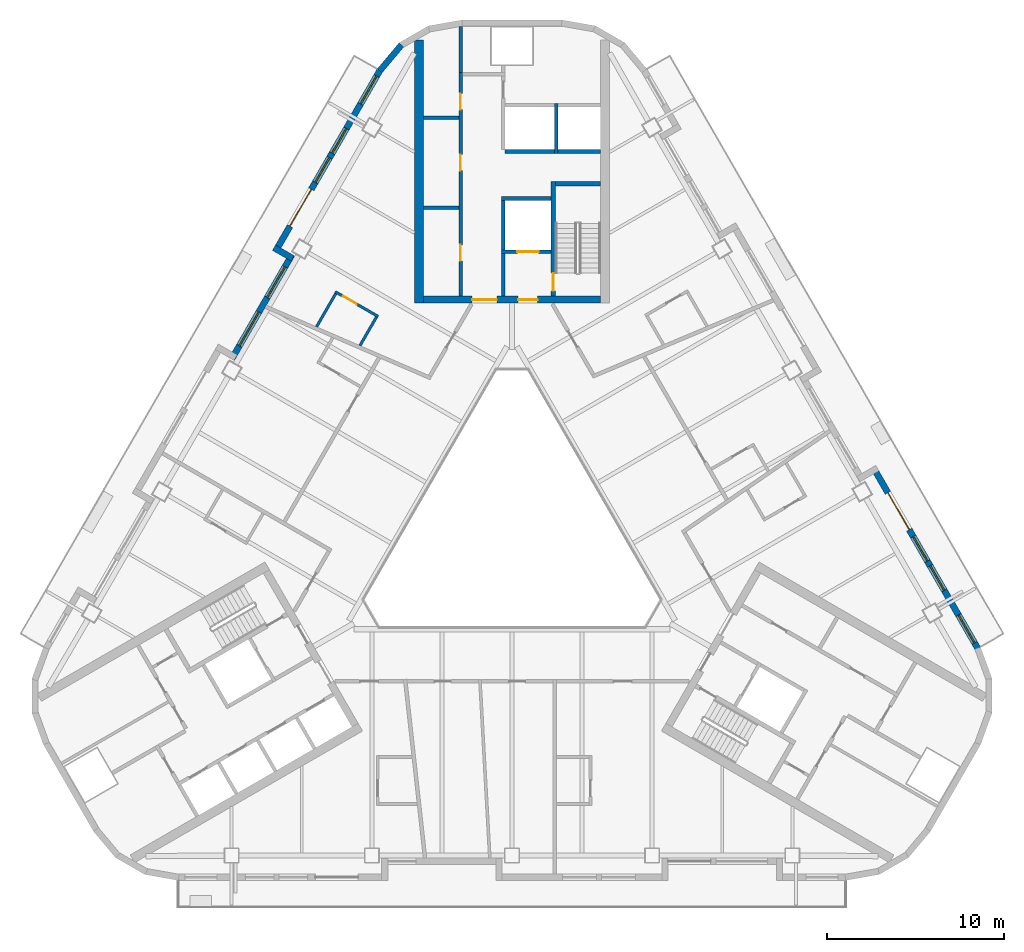
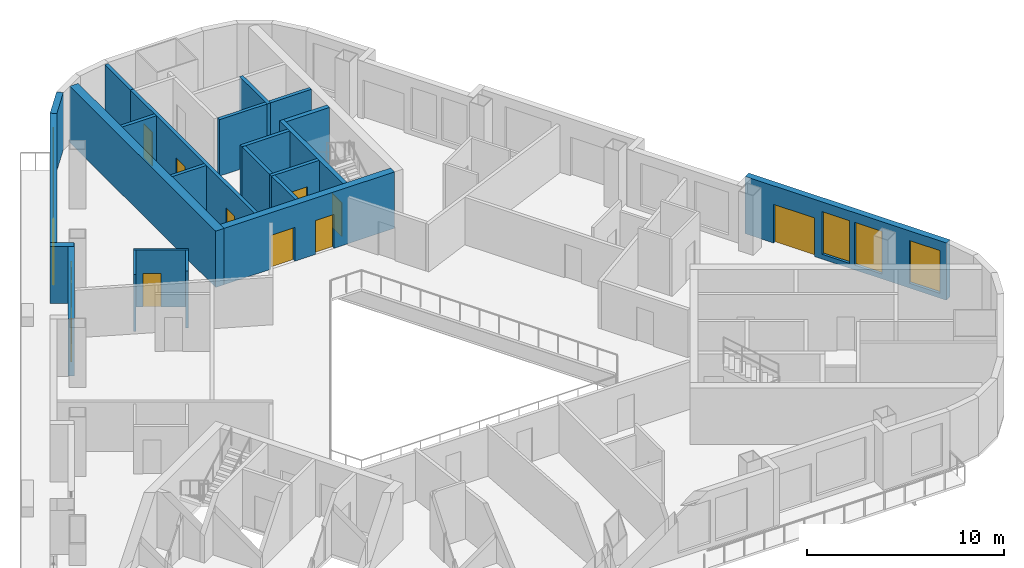
# One storey, part 6 of 13: 23 walls, 10 doors, 8 windows, 18 openings.
"""IFC4 building model written with IfcOpenShell, lengths in metres."""

from ifc_helpers import new_model, si_unit, direction, frame, frame_2d, origin, place, context, subcontext, project, spatial, rectangle, extrude, material, layer, layer_set, type_object, element, fill, save


model = new_model("IFC4")

# Units and contexts
model_context = context("Model", 3, precision=1e-05, world=origin(), true_north=direction((0.0, 1.0)))
body_context = subcontext(model_context, "Body", "Model", "MODEL_VIEW")
ifc_project = project(units=[si_unit("LENGTHUNIT", "METRE"), si_unit("AREAUNIT", "SQUARE_METRE"), si_unit("VOLUMEUNIT", "CUBIC_METRE"), si_unit("PLANEANGLEUNIT", "RADIAN"), si_unit("MASSUNIT", "GRAM", prefix="KILO")], contexts=[model_context])

# Site, building, storey
site_placement = place(None, origin())
site = spatial("IfcSite", under=ifc_project, at=site_placement, CompositionType="ELEMENT")
building_placement = place(site_placement, origin())
building = spatial("IfcBuilding", under=site, at=building_placement, Name="Apuvela Tower Hotel", CompositionType="ELEMENT")
storey_placement = place(building_placement, frame((0.0, 0.0, 165.10009765625)))
storey = spatial("IfcBuildingStorey", under=building, at=storey_placement, Name="L39", CompositionType="ELEMENT", Elevation=165.10009765625)

# Wall, openings, doors
ifc_material_1 = material(Name="Concrete C50/60", Category="concrete")
ifc_layer_1 = layer(ifc_material_1, 0.39990234375)
ifc_layer_set_1 = layer_set([ifc_layer_1], Name="COR-WALL-CORE-400")
wall_type_1 = type_object("IfcWallType", Name="COR-WALL-CORE-400", PredefinedType="SHEAR", material=ifc_layer_set_1)
wall_1_placement = place(storey_placement, frame((5.0, 13.10009765625, 0.0), z_axis=(0.0, 0.0, 1.0), x_axis=(-1.0, 0.0, 0.0)))
wall_1 = element("IfcWall", 1, at=wall_1_placement, inside=storey, type_object=wall_type_1, Name="Core wall N", PredefinedType="SHEAR", context=body_context, shape_type="SweptSolid", body=[
    extrude(rectangle(XDim=10.0, YDim=0.39990234375, at=frame_2d((5.0, 0.0))), origin(), (0.0, 0.0, 1.0), 3.5),
])
opening_1_placement = place(wall_1_placement, frame((3.550048828125, 0.0, 0.0)))
opening_1 = element("IfcOpeningElement", 2, at=opening_1_placement, cuts=wall_1, Name="Opening N-FD", PredefinedType="OPENING", context=body_context, shape_type="SweptSolid", body=[
    extrude(rectangle(XDim=1.10009765625, YDim=2.10009765625, at=frame_2d((0.550048828125, 1.050048828125))), frame((0.0, 0.2099609375, 0.0), z_axis=(0.0, -1.0, 0.0), x_axis=(1.0, 0.0, 0.0)), (0.0, 0.0, 1.0), 0.419921875),
])
opening_2_placement = place(wall_1_placement, frame((5.85009765625, 0.0, 0.0)))
opening_2 = element("IfcOpeningElement", 3, at=opening_2_placement, cuts=wall_1, Name="Opening N-GD", PredefinedType="OPENING", context=body_context, shape_type="SweptSolid", body=[
    extrude(rectangle(XDim=1.39990234375, YDim=2.10009765625, at=frame_2d((0.699951171875, 1.050048828125))), frame((0.0, 0.2099609375, 0.0), z_axis=(0.0, -1.0, 0.0), x_axis=(1.0, 0.0, 0.0)), (0.0, 0.0, 1.0), 0.419921875),
])
ifc_material_2 = material(Name="Steel fire door, powder coated", Category="steel")
door_type_1 = type_object("IfcDoorType", Name="COR-FD-1100", OperationType="NOTDEFINED", PredefinedType="DOOR", material=ifc_material_2)
door_1_placement = place(opening_1_placement, frame((1.10009765625, 0.0, 0.0), z_axis=(0.0, 0.0, 1.0), x_axis=(-1.0, 0.0, 0.0)))
door_1 = element("IfcDoor", 4, at=door_1_placement, inside=storey, type_object=door_type_1, Name="Firefighting lobby door N-FD", OperationType="SINGLE_SWING_LEFT", OverallHeight=2.10009765625, OverallWidth=1.10009765625, PredefinedType="DOOR", context=body_context, shape_type="SweptSolid", body=[
    extrude(rectangle(XDim=1.10009765625, YDim=2.10009765625, at=frame_2d((0.550048828125, 1.050048828125))), frame((0.0, 0.02490234375, 0.0), z_axis=(0.0, -1.0, 0.0), x_axis=(1.0, 0.0, 0.0)), (0.0, 0.0, 1.0), 0.050048828125),
])
fill(opening_1, door_1)
ifc_material_3 = material(Name="Glazed steel fire door", Category="steel")
door_type_2 = type_object("IfcDoorType", Name="COR-GD-1400", OperationType="DOUBLE_DOOR_SINGLE_SWING", PredefinedType="DOOR", material=ifc_material_3)
door_2_placement = place(opening_2_placement, frame((1.39990234375, 0.0, 0.0), z_axis=(0.0, 0.0, 1.0), x_axis=(-1.0, 0.0, 0.0)))
door_2 = element("IfcDoor", 5, at=door_2_placement, inside=storey, type_object=door_type_2, Name="Lift lobby door N-GD", OperationType="DOUBLE_DOOR_SINGLE_SWING", OverallHeight=2.10009765625, OverallWidth=1.39990234375, PredefinedType="DOOR", context=body_context, shape_type="SweptSolid", body=[
    extrude(rectangle(XDim=1.39990234375, YDim=2.10009765625, at=frame_2d((0.699951171875, 1.050048828125))), frame((0.0, 0.02490234375, 0.0), z_axis=(0.0, -1.0, 0.0), x_axis=(1.0, 0.0, 0.0)), (0.0, 0.0, 1.0), 0.050048828125),
])
fill(opening_2, door_2)

# Walls
ifc_layer_2 = layer(ifc_material_1, 0.5)
ifc_layer_set_2 = layer_set([ifc_layer_2], Name="COR-WALL-CORE-500")
wall_type_2 = type_object("IfcWallType", Name="COR-WALL-CORE-500", PredefinedType="SHEAR", material=ifc_layer_set_2)
wall_2_placement = place(storey_placement, frame((-5.25, 12.89990234375, 0.0), z_axis=(0.0, 0.0, 1.0), x_axis=(0.0, 1.0, 0.0)))
element("IfcWall", 6, at=wall_2_placement, inside=storey, type_object=wall_type_2, Name="Core wall N", PredefinedType="SHEAR", context=body_context, shape_type="SweptSolid", body=[
    extrude(rectangle(XDim=14.8369140625, YDim=0.5, at=frame_2d((7.41845703125, 0.0))), origin(), (0.0, 0.0, 1.0), 3.5),
])
ifc_material_4 = material(Name="Blockwork 200 mm plastered", Category="masonry")
ifc_layer_3 = layer(ifc_material_4, 0.199951171875)
ifc_layer_set_3 = layer_set([ifc_layer_3], Name="COR-WALL-PART-200")
wall_type_3 = type_object("IfcWallType", Name="COR-WALL-PART-200", PredefinedType="PARTITIONING", material=ifc_layer_set_3)
wall_3_placement = place(storey_placement, frame((5.0, 21.449951171875, 0.0), z_axis=(0.0, 0.0, 1.0), x_axis=(-1.0, 0.0, 0.0)))
element("IfcWall", 7, at=wall_3_placement, inside=storey, type_object=wall_type_3, Name="Partition N", PredefinedType="PARTITIONING", context=body_context, shape_type="SweptSolid", body=[
    extrude(rectangle(XDim=2.39990234375, YDim=0.199951171875, at=frame_2d((1.199951171875, 0.0))), origin(), (0.0, 0.0, 1.0), 3.5),
])
wall_4_placement = place(storey_placement, frame((2.39990234375, 21.449951171875, 0.0), z_axis=(0.0, 0.0, 1.0), x_axis=(-1.0, 0.0, 0.0)))
element("IfcWall", 8, at=wall_4_placement, inside=storey, type_object=wall_type_3, Name="Partition N", PredefinedType="PARTITIONING", context=body_context, shape_type="SweptSolid", body=[
    extrude(rectangle(XDim=2.7998046875, YDim=0.199951171875, at=frame_2d((1.39990234375, 0.0))), origin(), (0.0, 0.0, 1.0), 3.5),
])
ifc_layer_4 = layer(ifc_material_1, 0.199951171875)
ifc_layer_set_4 = layer_set([ifc_layer_4], Name="COR-WALL-SHAFT-200")
wall_type_4 = type_object("IfcWallType", Name="COR-WALL-SHAFT-200", PredefinedType="SHEAR", material=ifc_layer_set_4)
wall_5_placement = place(storey_placement, frame((2.199951171875, 18.800048828125, 0.0), z_axis=(0.0, 0.0, 1.0), x_axis=(-1.0, 0.0, 0.0)))
element("IfcWall", 9, at=wall_5_placement, inside=storey, type_object=wall_type_4, Name="Shaft wall N", PredefinedType="SHEAR", context=body_context, shape_type="SweptSolid", body=[
    extrude(rectangle(XDim=2.800048828125, YDim=0.199951171875, at=frame_2d((1.39990234375, 0.0))), origin(), (0.0, 0.0, 1.0), 3.5),
])

# Wall, opening, door
wall_6_placement = place(storey_placement, frame((2.199951171875, 15.800048828125, 0.0), z_axis=(0.0, 0.0, 1.0), x_axis=(-1.0, 0.0, 0.0)))
wall_6 = element("IfcWall", 10, at=wall_6_placement, inside=storey, type_object=wall_type_4, Name="Shaft wall N", PredefinedType="SHEAR", context=body_context, shape_type="SweptSolid", body=[
    extrude(rectangle(XDim=2.800048828125, YDim=0.199951171875, at=frame_2d((1.39990234375, 0.0))), origin(), (0.0, 0.0, 1.0), 3.5),
])
opening_3_placement = place(wall_6_placement, frame((0.699951171875, 0.0, 0.0)))
opening_3 = element("IfcOpeningElement", 11, at=opening_3_placement, cuts=wall_6, Name="Opening N-LD-FS1", PredefinedType="OPENING", context=body_context, shape_type="SweptSolid", body=[
    extrude(rectangle(XDim=1.199951171875, YDim=2.10009765625, at=frame_2d((0.60009765625, 1.050048828125))), frame((0.0, 0.10986328125, 0.0), z_axis=(0.0, -1.0, 0.0), x_axis=(1.0, 0.0, 0.0)), (0.0, 0.0, 1.0), 0.219970703125),
])
ifc_material_5 = material(Name="Stainless steel lift landing door", Category="steel")
door_type_3 = type_object("IfcDoorType", Name="COR-LD-1200", OperationType="DOUBLE_DOOR_SLIDING", PredefinedType="DOOR", material=ifc_material_5)
door_3_placement = place(opening_3_placement, origin())
door_3 = element("IfcDoor", 12, at=door_3_placement, inside=storey, type_object=door_type_3, Name="Lift landing door N-LD-FS1", OperationType="DOUBLE_DOOR_SLIDING", OverallHeight=2.10009765625, OverallWidth=1.199951171875, PredefinedType="DOOR", context=body_context, shape_type="SweptSolid", body=[
    extrude(rectangle(XDim=1.199951171875, YDim=2.10009765625, at=frame_2d((0.60009765625, 1.050048828125))), frame((0.0, 0.02490234375, 0.0), z_axis=(0.0, -1.0, 0.0), x_axis=(1.0, 0.0, 0.0)), (0.0, 0.0, 1.0), 0.050048828125),
])
fill(opening_3, door_3)

# Walls
wall_7_placement = place(storey_placement, frame((-0.5, 15.89990234375, 0.0), z_axis=(0.0, 0.0, 1.0), x_axis=(0.0, 1.0, 0.0)))
element("IfcWall", 13, at=wall_7_placement, inside=storey, type_object=wall_type_4, Name="Shaft wall N", PredefinedType="SHEAR", context=body_context, shape_type="SweptSolid", body=[
    extrude(rectangle(XDim=2.800048828125, YDim=0.199951171875, at=frame_2d((1.39990234375, 0.0))), origin(), (0.0, 0.0, 1.0), 3.5),
])
wall_8_placement = place(storey_placement, frame((-0.5, 13.300048828125, 0.0), z_axis=(0.0, 0.0, 1.0), x_axis=(0.0, 1.0, 0.0)))
element("IfcWall", 14, at=wall_8_placement, inside=storey, type_object=wall_type_4, Name="Shaft wall N", PredefinedType="SHEAR", context=body_context, shape_type="SweptSolid", body=[
    extrude(rectangle(XDim=2.39990234375, YDim=0.199951171875, at=frame_2d((1.199951171875, 0.0))), origin(), (0.0, 0.0, 1.0), 3.5),
])

# Wall, openings, doors
wall_9_placement = place(storey_placement, frame((-2.89990234375, 13.300048828125, 0.0), z_axis=(0.0, 0.0, 1.0), x_axis=(0.0, 1.0, 0.0)))
wall_9 = element("IfcWall", 15, at=wall_9_placement, inside=storey, type_object=wall_type_4, Name="Shaft wall N", PredefinedType="SHEAR", context=body_context, shape_type="SweptSolid", body=[
    extrude(rectangle(XDim=12.599853515625, YDim=0.199951171875, at=frame_2d((6.2998046875, 0.0))), origin(), (0.0, 0.0, 1.0), 3.5),
])
opening_4_placement = place(wall_9_placement, frame((1.989990234375, 0.0, 0.0)))
opening_4 = element("IfcOpeningElement", 16, at=opening_4_placement, cuts=wall_9, Name="Opening N-RE1", PredefinedType="OPENING", context=body_context, shape_type="SweptSolid", body=[
    extrude(rectangle(XDim=0.89990234375, YDim=2.10009765625, at=frame_2d((0.449951171875, 1.050048828125))), frame((0.0, 0.10986328125, 0.0), z_axis=(0.0, -1.0, 0.0), x_axis=(1.0, 0.0, 0.0)), (0.0, 0.0, 1.0), 0.219970703125),
])
opening_5_placement = place(wall_9_placement, frame((7.070068359375, 0.0, 0.0)))
opening_5 = element("IfcOpeningElement", 17, at=opening_5_placement, cuts=wall_9, Name="Opening N-RE3", PredefinedType="OPENING", context=body_context, shape_type="SweptSolid", body=[
    extrude(rectangle(XDim=0.89990234375, YDim=2.10009765625, at=frame_2d((0.449951171875, 1.050048828125))), frame((0.0, 0.10986328125, 0.0), z_axis=(0.0, -1.0, 0.0), x_axis=(1.0, 0.0, 0.0)), (0.0, 0.0, 1.0), 0.219970703125),
])
opening_6_placement = place(wall_9_placement, frame((10.510009765625, 0.0, 0.0)))
opening_6 = element("IfcOpeningElement", 18, at=opening_6_placement, cuts=wall_9, Name="Opening N-REP", PredefinedType="OPENING", context=body_context, shape_type="SweptSolid", body=[
    extrude(rectangle(XDim=0.89990234375, YDim=2.10009765625, at=frame_2d((0.449951171875, 1.050048828125))), frame((0.0, 0.10986328125, 0.0), z_axis=(0.0, -1.0, 0.0), x_axis=(1.0, 0.0, 0.0)), (0.0, 0.0, 1.0), 0.219970703125),
])
door_type_4 = type_object("IfcDoorType", Name="COR-DR-900", OperationType="NOTDEFINED", PredefinedType="DOOR", material=ifc_material_2)
door_4_placement = place(opening_4_placement, origin())
door_4 = element("IfcDoor", 19, at=door_4_placement, inside=storey, type_object=door_type_4, Name="Store door N-RE1", OperationType="SINGLE_SWING_LEFT", OverallHeight=2.10009765625, OverallWidth=0.89990234375, PredefinedType="DOOR", context=body_context, shape_type="SweptSolid", body=[
    extrude(rectangle(XDim=0.89990234375, YDim=2.10009765625, at=frame_2d((0.449951171875, 1.050048828125))), frame((0.0, 0.02490234375, 0.0), z_axis=(0.0, -1.0, 0.0), x_axis=(1.0, 0.0, 0.0)), (0.0, 0.0, 1.0), 0.050048828125),
])
fill(opening_4, door_4)
door_5_placement = place(opening_5_placement, origin())
door_5 = element("IfcDoor", 20, at=door_5_placement, inside=storey, type_object=door_type_4, Name="Store door N-RE3", OperationType="SINGLE_SWING_LEFT", OverallHeight=2.10009765625, OverallWidth=0.89990234375, PredefinedType="DOOR", context=body_context, shape_type="SweptSolid", body=[
    extrude(rectangle(XDim=0.89990234375, YDim=2.10009765625, at=frame_2d((0.449951171875, 1.050048828125))), frame((0.0, 0.02490234375, 0.0), z_axis=(0.0, -1.0, 0.0), x_axis=(1.0, 0.0, 0.0)), (0.0, 0.0, 1.0), 0.050048828125),
])
fill(opening_5, door_5)
door_6_placement = place(opening_6_placement, origin())
door_6 = element("IfcDoor", 21, at=door_6_placement, inside=storey, type_object=door_type_4, Name="Store door N-REP", OperationType="SINGLE_SWING_RIGHT", OverallHeight=2.10009765625, OverallWidth=0.89990234375, PredefinedType="DOOR", context=body_context, shape_type="SweptSolid", body=[
    extrude(rectangle(XDim=0.89990234375, YDim=2.10009765625, at=frame_2d((0.449951171875, 1.050048828125))), frame((0.0, 0.02490234375, 0.0), z_axis=(0.0, -1.0, 0.0), x_axis=(1.0, 0.0, 0.0)), (0.0, 0.0, 1.0), 0.050048828125),
])
fill(opening_6, door_6)

# Walls
for number, where, z_axis, x_axis, name in (
    (22, (-3.0, 18.280029296875, 0.0), (0.0, 0.0, 1.0), (-1.0, 0.0, 0.0), "Shaft wall N"),
    (23, (-3.0, 23.360107421875, 0.0), (0.0, 0.0, 1.0), (-1.0, 0.0, 0.0), "Shaft wall N"),
):
    element("IfcWall", number, at=place(storey_placement, frame(where, z_axis=z_axis, x_axis=x_axis)), inside=storey, type_object=wall_type_4, Name=name, PredefinedType="SHEAR", context=body_context, shape_type="SweptSolid", body=[
        extrude(rectangle(XDim=2.0, YDim=0.199951171875, at=frame_2d((1.0, 0.0))), origin(), (0.0, 0.0, 1.0), 3.5),
    ])
wall_10_placement = place(storey_placement, frame((-2.89990234375, 25.89990234375, 0.0), z_axis=(0.0, 0.0, 1.0), x_axis=(0.0, 1.0, 0.0)))
element("IfcWall", 24, at=wall_10_placement, inside=storey, type_object=wall_type_4, Name="Shaft wall N", PredefinedType="SHEAR", context=body_context, shape_type="SweptSolid", body=[
    extrude(rectangle(XDim=2.60009765625, YDim=0.199951171875, at=frame_2d((1.300048828125, 0.0))), origin(), (0.0, 0.0, 1.0), 3.5),
])
wall_11_placement = place(storey_placement, frame((2.5, 21.35009765625, 0.0), z_axis=(0.0, 0.0, 1.0), x_axis=(0.0, 1.0, 0.0)))
element("IfcWall", 25, at=wall_11_placement, inside=storey, type_object=wall_type_4, Name="Shaft wall N", PredefinedType="SHEAR", context=body_context, shape_type="SweptSolid", body=[
    extrude(rectangle(XDim=2.7998046875, YDim=0.199951171875, at=frame_2d((1.39990234375, 0.0))), origin(), (0.0, 0.0, 1.0), 3.5),
])

# Wall, opening, door
ifc_layer_5 = layer(ifc_material_1, 0.25)
ifc_layer_set_5 = layer_set([ifc_layer_5], Name="COR-WALL-STAIR-250")
wall_type_5 = type_object("IfcWallType", Name="COR-WALL-STAIR-250", PredefinedType="SHEAR", material=ifc_layer_set_5)
wall_12_placement = place(storey_placement, frame((2.324951171875, 13.300048828125, 0.0), z_axis=(0.0, 0.0, 1.0), x_axis=(0.0, 1.0, 0.0)))
wall_12 = element("IfcWall", 26, at=wall_12_placement, inside=storey, type_object=wall_type_5, Name="Stair wall N", PredefinedType="SHEAR", context=body_context, shape_type="SweptSolid", body=[
    extrude(rectangle(XDim=6.449951171875, YDim=0.25, at=frame_2d((3.22509765625, 0.0))), origin(), (0.0, 0.0, 1.0), 3.5),
])
opening_7_placement = place(wall_12_placement, frame((0.300048828125, 0.0, 0.0)))
opening_7 = element("IfcOpeningElement", 27, at=opening_7_placement, cuts=wall_12, Name="Opening N-SD", PredefinedType="OPENING", context=body_context, shape_type="SweptSolid", body=[
    extrude(rectangle(XDim=1.0, YDim=2.10009765625, at=frame_2d((0.5, 1.050048828125))), frame((0.0, 0.135009765625, 0.0), z_axis=(0.0, -1.0, 0.0), x_axis=(1.0, 0.0, 0.0)), (0.0, 0.0, 1.0), 0.27001953125),
])
door_type_5 = type_object("IfcDoorType", Name="COR-SD-1000", OperationType="NOTDEFINED", PredefinedType="DOOR", material=ifc_material_2)
door_7_placement = place(opening_7_placement, frame((1.0, 0.0, 0.0), z_axis=(0.0, 0.0, 1.0), x_axis=(-1.0, 0.0, 0.0)))
door_7 = element("IfcDoor", 28, at=door_7_placement, inside=storey, type_object=door_type_5, Name="Stair door N-SD", OperationType="SINGLE_SWING_LEFT", OverallHeight=2.10009765625, OverallWidth=1.0, PredefinedType="DOOR", context=body_context, shape_type="SweptSolid", body=[
    extrude(rectangle(XDim=1.0, YDim=2.10009765625, at=frame_2d((0.5, 1.050048828125))), frame((0.0, 0.02490234375, 0.0), z_axis=(0.0, -1.0, 0.0), x_axis=(1.0, 0.0, 0.0)), (0.0, 0.0, 1.0), 0.050048828125),
])
fill(opening_7, door_7)

# Wall
wall_13_placement = place(storey_placement, frame((5.0, 19.625, 0.0), z_axis=(0.0, 0.0, 1.0), x_axis=(-1.0, 0.0, 0.0)))
element("IfcWall", 29, at=wall_13_placement, inside=storey, type_object=wall_type_5, Name="Stair wall N", PredefinedType="SHEAR", context=body_context, shape_type="SweptSolid", body=[
    extrude(rectangle(XDim=2.550048828125, YDim=0.25, at=frame_2d((1.27490234375, 0.0))), origin(), (0.0, 0.0, 1.0), 3.5),
])

# Wall, openings, door, windows
ifc_material_6 = material(Name="Concrete C40/50, dark pigmented precast panel", Category="concrete")
ifc_layer_6 = layer(ifc_material_6, 0.35009765625)
ifc_layer_set_6 = layer_set([ifc_layer_6], Name="ENV-WALL-350")
wall_type_6 = type_object("IfcWallType", Name="ENV-WALL-350", PredefinedType="SOLIDWALL", material=ifc_layer_set_6)
wall_14_placement = place(storey_placement, frame((-7.440673828125, 26.0224609375, 0.0), z_axis=(0.0, 0.0, 1.0), x_axis=(-0.499992533062, -0.86602971478, 0.0)))
wall_14 = element("IfcWall", 30, at=wall_14_placement, inside=storey, type_object=wall_type_6, Name="External wall L39-01", PredefinedType="SOLIDWALL", context=body_context, shape_type="SweptSolid", body=[
    extrude(rectangle(XDim=11.815673828125, YDim=0.35009765625, at=frame_2d((5.90771484375, 0.0))), origin(), (0.0, 0.0, 1.0), 3.5498046875),
])
opening_8_placement = place(wall_14_placement, frame((0.381103515625, 0.0, 0.300048828125)))
opening_8 = element("IfcOpeningElement", 31, at=opening_8_placement, cuts=wall_14, Name="Opening WN18", PredefinedType="OPENING", context=body_context, shape_type="SweptSolid", body=[
    extrude(rectangle(XDim=1.800048828125, YDim=2.64990234375, at=frame_2d((0.89990234375, 1.324951171875))), frame((0.0, 0.18505859375, 0.0), z_axis=(0.0, -1.0, 0.0), x_axis=(1.0, 0.0, 0.0)), (0.0, 0.0, 1.0), 0.3701171875),
])
opening_9_placement = place(wall_14_placement, frame((7.740478515625, 0.0, 0.0)))
opening_9 = element("IfcOpeningElement", 32, at=opening_9_placement, cuts=wall_14, Name="Opening BD24", PredefinedType="OPENING", context=body_context, shape_type="SweptSolid", body=[
    extrude(rectangle(XDim=2.39990234375, YDim=2.39990234375, at=frame_2d((1.199951171875, 1.199951171875))), frame((0.0, 0.18505859375, 0.0), z_axis=(0.0, -1.0, 0.0), x_axis=(1.0, 0.0, 0.0)), (0.0, 0.0, 1.0), 0.3701171875),
])
opening_10_placement = place(wall_14_placement, frame((3.791015625, 0.0, 0.300048828125)))
opening_10 = element("IfcOpeningElement", 33, at=opening_10_placement, cuts=wall_14, Name="Opening WN16", PredefinedType="OPENING", context=body_context, shape_type="SweptSolid", body=[
    extrude(rectangle(XDim=1.60009765625, YDim=2.64990234375, at=frame_2d((0.800048828125, 1.324951171875))), frame((0.0, 0.18505859375, 0.0), z_axis=(0.0, -1.0, 0.0), x_axis=(1.0, 0.0, 0.0)), (0.0, 0.0, 1.0), 0.3701171875),
])
opening_11_placement = place(wall_14_placement, frame((5.69091796875, 0.0, 0.300048828125)))
opening_11 = element("IfcOpeningElement", 34, at=opening_11_placement, cuts=wall_14, Name="Opening WN16", PredefinedType="OPENING", context=body_context, shape_type="SweptSolid", body=[
    extrude(rectangle(XDim=1.60009765625, YDim=2.64990234375, at=frame_2d((0.800048828125, 1.324951171875))), frame((0.0, 0.18505859375, 0.0), z_axis=(0.0, -1.0, 0.0), x_axis=(1.0, 0.0, 0.0)), (0.0, 0.0, 1.0), 0.3701171875),
])
ifc_material_7 = material(Name="Aluminium 6063-T6, dark bronze anodised frame with dark tinted laminated glass", Category="aluminium")
door_type_6 = type_object("IfcDoorType", Name="ENV-DOOR-BALCONY-2400x2400", OperationType="SLIDING_TO_LEFT", PredefinedType="DOOR", material=ifc_material_7)
door_8_placement = place(opening_9_placement, frame((2.39990234375, 0.0, 0.0), z_axis=(0.0, 0.0, 1.0), x_axis=(-1.0, 0.0, 0.0)))
door_8 = element("IfcDoor", 35, at=door_8_placement, inside=storey, type_object=door_type_6, Name="Balcony door BD24", OperationType="SLIDING_TO_LEFT", OverallHeight=2.39990234375, OverallWidth=2.39990234375, PredefinedType="DOOR", context=body_context, shape_type="SweptSolid", body=[
    extrude(rectangle(XDim=2.39990234375, YDim=2.39990234375, at=frame_2d((1.199951171875, 1.199951171875))), frame((0.0, 0.02490234375, 0.0), z_axis=(0.0, -1.0, 0.0), x_axis=(1.0, 0.0, 0.0)), (0.0, 0.0, 1.0), 0.050048828125),
])
fill(opening_9, door_8)
ifc_material_8 = material(Name="Glass, dark tinted laminated insulated glazing unit", Category="glass")
window_type_1 = type_object("IfcWindowType", Name="ENV-WIN-1600x2650", PartitioningType="SINGLE_PANEL", PredefinedType="WINDOW", material=ifc_material_8)
window_1_placement = place(opening_10_placement, origin())
window_1 = element("IfcWindow", 36, at=window_1_placement, inside=storey, type_object=window_type_1, Name="Window WN16", OverallHeight=2.64990234375, OverallWidth=1.60009765625, PartitioningType="SINGLE_PANEL", PredefinedType="WINDOW", context=body_context, shape_type="SweptSolid", body=[
    extrude(rectangle(XDim=1.60009765625, YDim=2.64990234375, at=frame_2d((0.800048828125, 1.324951171875))), frame((0.0, 0.030029296875, 0.0), z_axis=(0.0, -1.0, 0.0), x_axis=(1.0, 0.0, 0.0)), (0.0, 0.0, 1.0), 0.06005859375),
])
fill(opening_10, window_1)
window_2_placement = place(opening_11_placement, origin())
window_2 = element("IfcWindow", 37, at=window_2_placement, inside=storey, type_object=window_type_1, Name="Window WN16", OverallHeight=2.64990234375, OverallWidth=1.60009765625, PartitioningType="SINGLE_PANEL", PredefinedType="WINDOW", context=body_context, shape_type="SweptSolid", body=[
    extrude(rectangle(XDim=1.60009765625, YDim=2.64990234375, at=frame_2d((0.800048828125, 1.324951171875))), frame((0.0, 0.030029296875, 0.0), z_axis=(0.0, -1.0, 0.0), x_axis=(1.0, 0.0, 0.0)), (0.0, 0.0, 1.0), 0.06005859375),
])
fill(opening_11, window_2)
window_type_2 = type_object("IfcWindowType", Name="ENV-WIN-1800x2650", PartitioningType="SINGLE_PANEL", PredefinedType="WINDOW", material=ifc_material_8)
window_3_placement = place(opening_8_placement, origin())
window_3 = element("IfcWindow", 38, at=window_3_placement, inside=storey, type_object=window_type_2, Name="Window WN18", OverallHeight=2.64990234375, OverallWidth=1.800048828125, PartitioningType="SINGLE_PANEL", PredefinedType="WINDOW", context=body_context, shape_type="SweptSolid", body=[
    extrude(rectangle(XDim=1.800048828125, YDim=2.64990234375, at=frame_2d((0.89990234375, 1.324951171875))), frame((0.0, 0.030029296875, 0.0), z_axis=(0.0, -1.0, 0.0), x_axis=(1.0, 0.0, 0.0)), (0.0, 0.0, 1.0), 0.06005859375),
])
fill(opening_8, window_3)

# Wall
wall_15_placement = place(storey_placement, frame((-13.41259765625, 16.02880859375, 0.0), z_axis=(0.0, 0.0, 1.0), x_axis=(0.866005645448, -0.500034220881, 0.0)))
element("IfcWall", 39, at=wall_15_placement, inside=storey, type_object=wall_type_6, Name="External wall L39-02", PredefinedType="SOLIDWALL", context=body_context, shape_type="SweptSolid", body=[
    extrude(rectangle(XDim=1.22021484375, YDim=0.35009765625, at=frame_2d((0.610107421875, 0.0))), origin(), (0.0, 0.0, 1.0), 3.5498046875),
])

# Wall, openings, windows
wall_16_placement = place(storey_placement, frame((-12.408935546875, 15.616943359375, 0.0), z_axis=(0.0, 0.0, 1.0), x_axis=(-0.500003597184, -0.866023326939, 0.0)))
wall_16 = element("IfcWall", 40, at=wall_16_placement, inside=storey, type_object=wall_type_6, Name="External wall L39-03", PredefinedType="SOLIDWALL", context=body_context, shape_type="SweptSolid", body=[
    extrude(rectangle(XDim=6.740234375, YDim=0.35009765625, at=frame_2d((3.3701171875, 0.0))), origin(), (0.0, 0.0, 1.0), 3.5498046875),
])
opening_12_placement = place(wall_16_placement, frame((0.77001953125, 0.0, 0.300048828125)))
opening_12 = element("IfcOpeningElement", 41, at=opening_12_placement, cuts=wall_16, Name="Opening WN20", PredefinedType="OPENING", context=body_context, shape_type="SweptSolid", body=[
    extrude(rectangle(XDim=2.0, YDim=2.64990234375, at=frame_2d((1.0, 1.324951171875))), frame((0.0, 0.18505859375, 0.0), z_axis=(0.0, -1.0, 0.0), x_axis=(1.0, 0.0, 0.0)), (0.0, 0.0, 1.0), 0.3701171875),
])
opening_13_placement = place(wall_16_placement, frame((3.71484375, 0.0, 0.300048828125)))
opening_13 = element("IfcOpeningElement", 42, at=opening_13_placement, cuts=wall_16, Name="Opening WN22", PredefinedType="OPENING", context=body_context, shape_type="SweptSolid", body=[
    extrude(rectangle(XDim=2.199951171875, YDim=2.64990234375, at=frame_2d((1.10009765625, 1.324951171875))), frame((0.0, 0.18505859375, 0.0), z_axis=(0.0, -1.0, 0.0), x_axis=(1.0, 0.0, 0.0)), (0.0, 0.0, 1.0), 0.3701171875),
])
window_type_3 = type_object("IfcWindowType", Name="ENV-WIN-2000x2650", PartitioningType="SINGLE_PANEL", PredefinedType="WINDOW", material=ifc_material_8)
window_4_placement = place(opening_12_placement, origin())
window_4 = element("IfcWindow", 43, at=window_4_placement, inside=storey, type_object=window_type_3, Name="Window WN20", OverallHeight=2.64990234375, OverallWidth=2.0, PartitioningType="SINGLE_PANEL", PredefinedType="WINDOW", context=body_context, shape_type="SweptSolid", body=[
    extrude(rectangle(XDim=2.0, YDim=2.64990234375, at=frame_2d((1.0, 1.324951171875))), frame((0.0, 0.030029296875, 0.0), z_axis=(0.0, -1.0, 0.0), x_axis=(1.0, 0.0, 0.0)), (0.0, 0.0, 1.0), 0.06005859375),
])
fill(opening_12, window_4)
window_type_4 = type_object("IfcWindowType", Name="ENV-WIN-2200x2650", PartitioningType="SINGLE_PANEL", PredefinedType="WINDOW", material=ifc_material_8)
window_5_placement = place(opening_13_placement, origin())
window_5 = element("IfcWindow", 44, at=window_5_placement, inside=storey, type_object=window_type_4, Name="Window WN22", OverallHeight=2.64990234375, OverallWidth=2.199951171875, PartitioningType="SINGLE_PANEL", PredefinedType="WINDOW", context=body_context, shape_type="SweptSolid", body=[
    extrude(rectangle(XDim=2.199951171875, YDim=2.64990234375, at=frame_2d((1.10009765625, 1.324951171875))), frame((0.0, 0.030029296875, 0.0), z_axis=(0.0, -1.0, 0.0), x_axis=(1.0, 0.0, 0.0)), (0.0, 0.0, 1.0), 0.06005859375),
])
fill(opening_13, window_5)

# Wall, openings, door, windows
wall_17_placement = place(storey_placement, frame((26.256591796875, -6.5673828125, 0.0), z_axis=(0.0, 0.0, 1.0), x_axis=(-0.500023526245, 0.866011820475, 0.0)))
wall_17 = element("IfcWall", 45, at=wall_17_placement, inside=storey, type_object=wall_type_6, Name="External wall L39-33", PredefinedType="SOLIDWALL", context=body_context, shape_type="SweptSolid", body=[
    extrude(rectangle(XDim=11.81591796875, YDim=0.35009765625, at=frame_2d((5.907958984375, 0.0))), origin(), (0.0, 0.0, 1.0), 3.5498046875),
])
opening_14_placement = place(wall_17_placement, frame((0.380126953125, 0.0, 0.300048828125)))
opening_14 = element("IfcOpeningElement", 46, at=opening_14_placement, cuts=wall_17, Name="Opening WN18", PredefinedType="OPENING", context=body_context, shape_type="SweptSolid", body=[
    extrude(rectangle(XDim=1.800048828125, YDim=2.64990234375, at=frame_2d((0.89990234375, 1.324951171875))), frame((0.0, 0.18505859375, 0.0), z_axis=(0.0, -1.0, 0.0), x_axis=(1.0, 0.0, 0.0)), (0.0, 0.0, 1.0), 0.3701171875),
])
opening_15_placement = place(wall_17_placement, frame((7.7412109375, 0.0, 0.0)))
opening_15 = element("IfcOpeningElement", 47, at=opening_15_placement, cuts=wall_17, Name="Opening BD24", PredefinedType="OPENING", context=body_context, shape_type="SweptSolid", body=[
    extrude(rectangle(XDim=2.39990234375, YDim=2.39990234375, at=frame_2d((1.199951171875, 1.199951171875))), frame((0.0, 0.18505859375, 0.0), z_axis=(0.0, -1.0, 0.0), x_axis=(1.0, 0.0, 0.0)), (0.0, 0.0, 1.0), 0.3701171875),
])
opening_16_placement = place(wall_17_placement, frame((3.791015625, 0.0, 0.300048828125)))
opening_16 = element("IfcOpeningElement", 48, at=opening_16_placement, cuts=wall_17, Name="Opening WN16", PredefinedType="OPENING", context=body_context, shape_type="SweptSolid", body=[
    extrude(rectangle(XDim=1.60009765625, YDim=2.64990234375, at=frame_2d((0.800048828125, 1.324951171875))), frame((0.0, 0.18505859375, 0.0), z_axis=(0.0, -1.0, 0.0), x_axis=(1.0, 0.0, 0.0)), (0.0, 0.0, 1.0), 0.3701171875),
])
opening_17_placement = place(wall_17_placement, frame((5.69091796875, 0.0, 0.300048828125)))
opening_17 = element("IfcOpeningElement", 49, at=opening_17_placement, cuts=wall_17, Name="Opening WN16", PredefinedType="OPENING", context=body_context, shape_type="SweptSolid", body=[
    extrude(rectangle(XDim=1.60009765625, YDim=2.64990234375, at=frame_2d((0.800048828125, 1.324951171875))), frame((0.0, 0.18505859375, 0.0), z_axis=(0.0, -1.0, 0.0), x_axis=(1.0, 0.0, 0.0)), (0.0, 0.0, 1.0), 0.3701171875),
])
door_9_placement = place(opening_15_placement, frame((2.39990234375, 0.0, 0.0), z_axis=(0.0, 0.0, 1.0), x_axis=(-1.0, 0.0, 0.0)))
door_9 = element("IfcDoor", 50, at=door_9_placement, inside=storey, type_object=door_type_6, Name="Balcony door BD24", OperationType="SLIDING_TO_LEFT", OverallHeight=2.39990234375, OverallWidth=2.39990234375, PredefinedType="DOOR", context=body_context, shape_type="SweptSolid", body=[
    extrude(rectangle(XDim=2.39990234375, YDim=2.39990234375, at=frame_2d((1.199951171875, 1.199951171875))), frame((0.0, 0.02490234375, 0.0), z_axis=(0.0, -1.0, 0.0), x_axis=(1.0, 0.0, 0.0)), (0.0, 0.0, 1.0), 0.050048828125),
])
fill(opening_15, door_9)
window_6_placement = place(opening_16_placement, origin())
window_6 = element("IfcWindow", 51, at=window_6_placement, inside=storey, type_object=window_type_1, Name="Window WN16", OverallHeight=2.64990234375, OverallWidth=1.60009765625, PartitioningType="SINGLE_PANEL", PredefinedType="WINDOW", context=body_context, shape_type="SweptSolid", body=[
    extrude(rectangle(XDim=1.60009765625, YDim=2.64990234375, at=frame_2d((0.800048828125, 1.324951171875))), frame((0.0, 0.030029296875, 0.0), z_axis=(0.0, -1.0, 0.0), x_axis=(1.0, 0.0, 0.0)), (0.0, 0.0, 1.0), 0.06005859375),
])
fill(opening_16, window_6)
window_7_placement = place(opening_17_placement, origin())
window_7 = element("IfcWindow", 52, at=window_7_placement, inside=storey, type_object=window_type_1, Name="Window WN16", OverallHeight=2.64990234375, OverallWidth=1.60009765625, PartitioningType="SINGLE_PANEL", PredefinedType="WINDOW", context=body_context, shape_type="SweptSolid", body=[
    extrude(rectangle(XDim=1.60009765625, YDim=2.64990234375, at=frame_2d((0.800048828125, 1.324951171875))), frame((0.0, 0.030029296875, 0.0), z_axis=(0.0, -1.0, 0.0), x_axis=(1.0, 0.0, 0.0)), (0.0, 0.0, 1.0), 0.06005859375),
])
fill(opening_17, window_7)
window_8_placement = place(opening_14_placement, origin())
window_8 = element("IfcWindow", 53, at=window_8_placement, inside=storey, type_object=window_type_2, Name="Window WN18", OverallHeight=2.64990234375, OverallWidth=1.800048828125, PartitioningType="SINGLE_PANEL", PredefinedType="WINDOW", context=body_context, shape_type="SweptSolid", body=[
    extrude(rectangle(XDim=1.800048828125, YDim=2.64990234375, at=frame_2d((0.89990234375, 1.324951171875))), frame((0.0, 0.030029296875, 0.0), z_axis=(0.0, -1.0, 0.0), x_axis=(1.0, 0.0, 0.0)), (0.0, 0.0, 1.0), 0.06005859375),
])
fill(opening_14, window_8)

# Wall
wall_18_placement = place(storey_placement, frame((-6.230224609375, 27.460693359375, 0.0), z_axis=(0.0, 0.0, 1.0), x_axis=(-0.642808304945, -0.766027077259, 0.0)))
element("IfcWall", 54, at=wall_18_placement, inside=storey, type_object=wall_type_6, Name="External wall L39-48", PredefinedType="SOLIDWALL", context=body_context, shape_type="SweptSolid", body=[
    extrude(rectangle(XDim=1.909912109375, YDim=0.35009765625, at=frame_2d((0.955078125, 0.0))), origin(), (0.0, 0.0, 1.0), 3.5498046875),
])

# Wall, opening, door
ifc_material_9 = material(Name="Moisture-resistant gypsum board wet wall on steel stud", Category="steel")
ifc_layer_7 = layer(ifc_material_9, 0.14990234375)
ifc_layer_set_7 = layer_set([ifc_layer_7], Name="GST-PW3")
wall_type_7 = type_object("IfcWallType", Name="GST-PW3", PredefinedType="PARTITIONING", material=ifc_layer_set_7)
wall_19_placement = place(storey_placement, frame((-7.536865234375, 12.14599609375, 0.0), z_axis=(0.0, 0.0, 1.0), x_axis=(-0.866034573852, 0.49998411664, 0.0)))
wall_19 = element("IfcWall", 55, at=wall_19_placement, inside=storey, type_object=wall_type_7, Name="L39 partition 30", PredefinedType="PARTITIONING", context=body_context, shape_type="SweptSolid", body=[
    extrude(rectangle(XDim=2.7998046875, YDim=0.14990234375, at=frame_2d((1.39990234375, 0.0))), origin(), (0.0, 0.0, 1.0), 3.5498046875),
])
opening_18_placement = place(wall_19_placement, frame((1.39990234375, 0.0, 0.0)))
opening_18 = element("IfcOpeningElement", 56, at=opening_18_placement, cuts=wall_19, Name="Opening GD14-13", PredefinedType="OPENING", context=body_context, shape_type="SweptSolid", body=[
    extrude(rectangle(XDim=0.89990234375, YDim=2.10009765625, at=frame_2d((0.449951171875, 1.050048828125))), frame((0.0, 0.0849609375, 0.0), z_axis=(0.0, -1.0, 0.0), x_axis=(1.0, 0.0, 0.0)), (0.0, 0.0, 1.0), 0.169921875),
])
ifc_material_10 = material(Name="Timber door leaf in steel frame", Category="steel")
door_type_7 = type_object("IfcDoorType", Name="GST-D2", OperationType="NOTDEFINED", PredefinedType="DOOR", material=ifc_material_10)
door_10_placement = place(opening_18_placement, origin())
door_10 = element("IfcDoor", 57, at=door_10_placement, inside=storey, type_object=door_type_7, Name="Door L39-13", OperationType="SINGLE_SWING_RIGHT", OverallHeight=2.10009765625, OverallWidth=0.89990234375, PredefinedType="DOOR", context=body_context, shape_type="SweptSolid", body=[
    extrude(rectangle(XDim=0.89990234375, YDim=2.10009765625, at=frame_2d((0.449951171875, 1.050048828125))), frame((0.0, 0.02490234375, 0.0), z_axis=(0.0, -1.0, 0.0), x_axis=(1.0, 0.0, 0.0)), (0.0, 0.0, 1.0), 0.050048828125),
])
fill(opening_18, door_10)

# Walls
wall_20_placement = place(storey_placement, frame((-9.93408203125, 13.443359375, 0.0), z_axis=(0.0, 0.0, 1.0), x_axis=(-0.500018419339, -0.866014769113, 0.0)))
element("IfcWall", 58, at=wall_20_placement, inside=storey, type_object=wall_type_7, Name="L39 partition 31", PredefinedType="PARTITIONING", context=body_context, shape_type="SweptSolid", body=[
    extrude(rectangle(XDim=2.166015625, YDim=0.14990234375, at=frame_2d((1.0830078125, 0.0))), origin(), (0.0, 0.0, 1.0), 3.5498046875),
])
wall_21_placement = place(storey_placement, frame((-7.63916015625, 12.118408203125, 0.0), z_axis=(0.0, 0.0, 1.0), x_axis=(-0.500052179009, -0.865995276124, 0.0)))
element("IfcWall", 59, at=wall_21_placement, inside=storey, type_object=wall_type_7, Name="L39 partition 32", PredefinedType="PARTITIONING", context=body_context, shape_type="SweptSolid", body=[
    extrude(rectangle(XDim=1.858642578125, YDim=0.14990234375, at=frame_2d((0.92919921875, 0.0))), origin(), (0.0, 0.0, 1.0), 3.5498046875),
])

save(model, "model.ifc")
